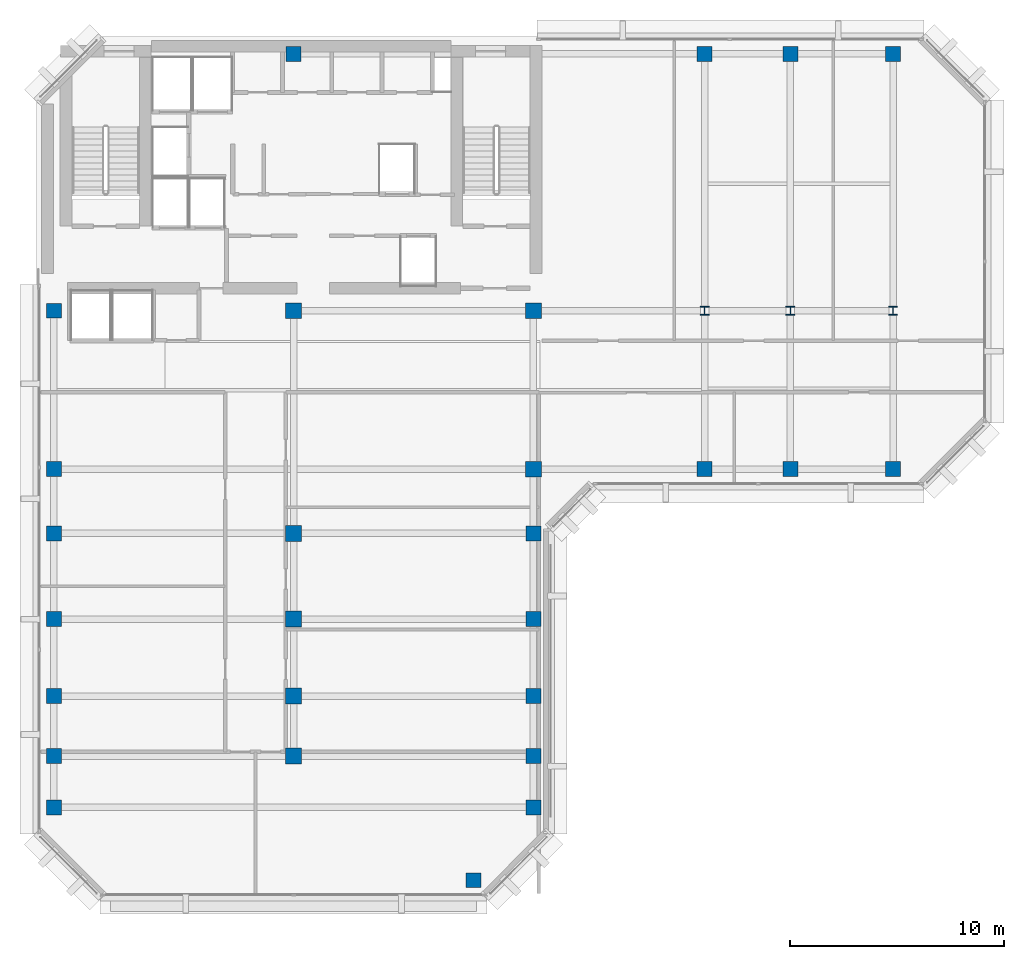
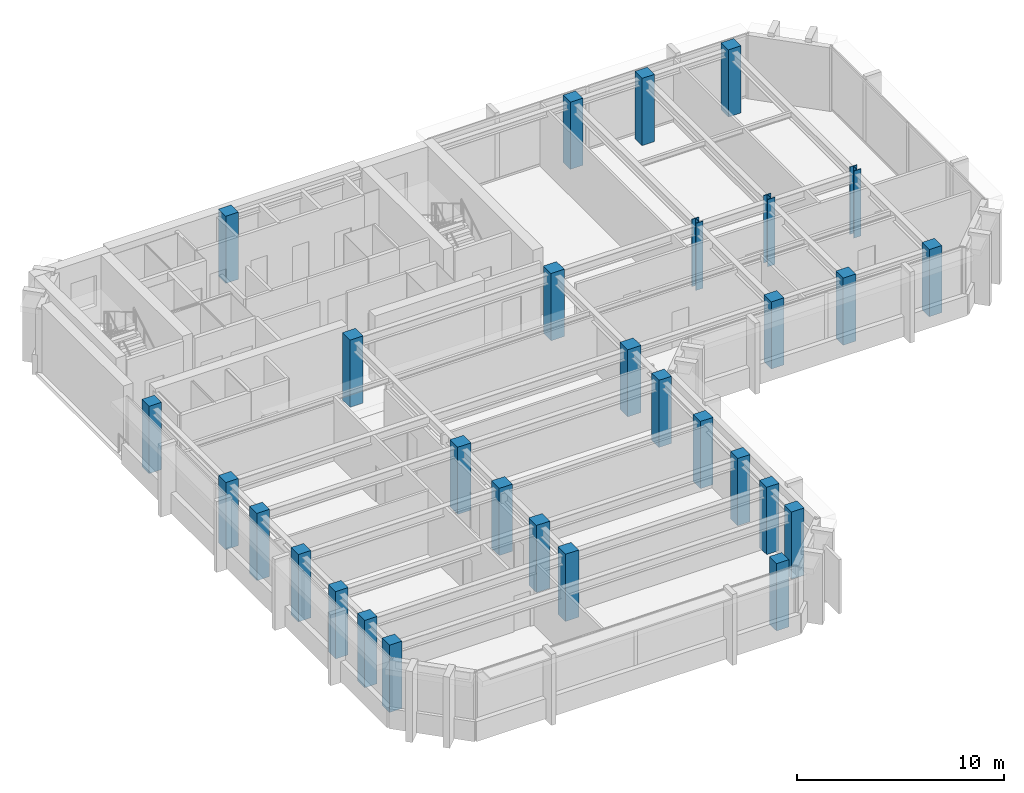
# One storey, part 1 of 11: 30 columns.
"""IFC4 building model written with IfcOpenShell, lengths in metres."""

import ifcopenshell
import ifcopenshell.guid

model = None  # the IFC model being written
_history = None  # IfcOwnerHistory: only IFC2X3 demands one
_inside = {}  # id of a spatial element -> (the spatial element, [elements in it])
_under = {}  # id of a project, library or spatial element -> (it, [spatial elements below it])
_declared = {}  # id of a project -> (the project, [libraries it declares])
_typed = {}  # id of a type object -> (the type object, [elements of that type])
_made_of = {}  # id of a material, layer set ... -> (it, [elements and type objects made of it])


def new_model(schema):
    """Start an empty IFC model of exactly this schema.

    Asked for "IFC4X3", IfcOpenShell would pick the latest addendum, in which some entities
    have other attributes; the version numbers below select the first issue.
    IFC2X3 requires an IfcOwnerHistory on every rooted entity: one is made here for all.
    """
    global model, _history
    if schema == "IFC4X3":
        model = ifcopenshell.file(schema_version=(4, 3, 0, 0))
    else:
        model = ifcopenshell.file(schema=schema)
    _inside.clear()
    _under.clear()
    _declared.clear()
    _typed.clear()
    _made_of.clear()
    _history = None
    if model.schema == "IFC2X3":
        org = make("IfcOrganization", Name="unknown")
        user = make(
            "IfcPersonAndOrganization",
            ThePerson=make("IfcPerson", FamilyName="unknown"),
            TheOrganization=org,
        )
        app = make(
            "IfcApplication",
            ApplicationDeveloper=org,
            Version="unknown",
            ApplicationFullName="unknown",
            ApplicationIdentifier="unknown",
        )
        _history = make(
            "IfcOwnerHistory",
            OwningUser=user,
            OwningApplication=app,
            ChangeAction="ADDED",
            CreationDate=0,
        )
    return model


def make(cls, **values):
    """One entity of the class cls with the attributes given. An attribute that is None is left unset."""
    return model.create_entity(
        cls, **{name: value for name, value in values.items() if value is not None}
    )


def rooted(cls, **values):
    """An entity with a GlobalId (a new one), such as an element, a storey or a relation."""
    return make(cls, GlobalId=ifcopenshell.guid.new(), OwnerHistory=_history, **values)


def si_unit(unit_type, name, prefix=None):
    """IfcSIUnit, for example si_unit("LENGTHUNIT", "METRE", prefix="MILLI")."""
    return make("IfcSIUnit", UnitType=unit_type, Prefix=prefix, Name=name)


def assignment(units):
    """IfcUnitAssignment: the units of a project."""
    return None if units is None else make("IfcUnitAssignment", Units=units)


def point(xyz):
    """IfcCartesianPoint."""
    return None if xyz is None else make("IfcCartesianPoint", Coordinates=xyz)


def direction(xyz):
    """IfcDirection."""
    return None if xyz is None else make("IfcDirection", DirectionRatios=xyz)


def frame(location, z_axis=None, x_axis=None):
    """IfcAxis2Placement3D, a coordinate frame: its origin and axes. An axis left out is left unset."""
    return make(
        "IfcAxis2Placement3D",
        Location=point(location),
        Axis=direction(z_axis),
        RefDirection=direction(x_axis),
    )


def frame_2d(location, x_axis=None):
    """IfcAxis2Placement2D, a coordinate frame in the plane: its origin and x axis."""
    return make(
        "IfcAxis2Placement2D", Location=point(location), RefDirection=direction(x_axis)
    )


def origin():
    """The frame at (0, 0, 0) with its axes left unset."""
    return frame((0.0, 0.0, 0.0))


def origin_2d():
    """The frame at (0, 0) in the plane with its x axis left unset."""
    return frame_2d((0.0, 0.0))


def place(relative_to, where):
    """IfcLocalPlacement: puts the frame where relative to a parent placement (None: the world)."""
    return make(
        "IfcLocalPlacement", PlacementRelTo=relative_to, RelativePlacement=where
    )


def context(
    kind, dimensions, precision=None, world=None, true_north=None, identifier=None
):
    """IfcGeometricRepresentationContext, for example the 3D "Model" context."""
    return make(
        "IfcGeometricRepresentationContext",
        ContextIdentifier=identifier,
        ContextType=kind,
        CoordinateSpaceDimension=dimensions,
        Precision=precision,
        WorldCoordinateSystem=world,
        TrueNorth=true_north,
    )


def subcontext(parent, identifier, kind, view, scale=None):
    """IfcGeometricRepresentationSubContext, for example "Body" below "Model"."""
    return make(
        "IfcGeometricRepresentationSubContext",
        ContextIdentifier=identifier,
        ContextType=kind,
        ParentContext=parent,
        TargetScale=scale,
        TargetView=view,
    )


def project(units=None, contexts=None):
    """IfcProject with its units and contexts."""
    return rooted(
        "IfcProject",
        Name="project",
        RepresentationContexts=contexts,
        UnitsInContext=assignment(units),
    )


def spatial(cls, under=None, at=None, **own):
    """A site, building, storey or space (cls), placed at a placement, below another one or the project."""
    s = rooted(cls, ObjectPlacement=at, **own)
    if under is not None:
        _under.setdefault(under.id(), (under, []))[1].append(s)
    return s


def profile(cls, at=None, kind="AREA", **sizes):
    """A parametric profile (cls). Its sizes go by their IFC names, for example OverallWidth=200.0."""
    return make(cls, ProfileType=kind, Position=at, **sizes)


def rectangle(**sizes):
    """IfcRectangleProfileDef."""
    return profile("IfcRectangleProfileDef", **sizes)


def i_section(**sizes):
    """IfcIShapeProfileDef."""
    return profile("IfcIShapeProfileDef", **sizes)


def extrude(swept, where, along, depth):
    """IfcExtrudedAreaSolid: the profile swept, set in the frame where, extruded along a direction by depth."""
    return make(
        "IfcExtrudedAreaSolid",
        SweptArea=swept,
        Position=where,
        ExtrudedDirection=direction(along),
        Depth=depth,
    )


def shape(context_of_items, identifier, shape_type, items):
    """IfcShapeRepresentation: the items that make up one representation, for example the "Body"."""
    return make(
        "IfcShapeRepresentation",
        ContextOfItems=context_of_items,
        RepresentationIdentifier=identifier,
        RepresentationType=shape_type,
        Items=items,
    )


def material(Name=None, Category=None):
    """IfcMaterial."""
    return make("IfcMaterial", Name=Name, Category=Category)


def material_profile(
    of_material, cross_section, Name=None, Category=None, Priority=None
):
    """IfcMaterialProfile: a cross section and its material."""
    return make(
        "IfcMaterialProfile",
        Name=Name,
        Material=of_material,
        Profile=cross_section,
        Priority=Priority,
        Category=Category,
    )


def profile_set(profiles, Name=None, composite=None):
    """IfcMaterialProfileSet."""
    return make(
        "IfcMaterialProfileSet",
        Name=Name,
        MaterialProfiles=profiles,
        CompositeProfile=composite,
    )


def made_of(thing, what):
    """Note that an element or type object is made of a material, layer set ...; save() writes the relation."""
    if what is not None:
        _made_of.setdefault(what.id(), (what, []))[1].append(thing)
    return thing


def type_object(cls, material=None, **own):
    """A type object (cls), such as IfcWallType, which elements share."""
    return made_of(rooted(cls, **own), material)


def element(
    cls,
    number,
    at=None,
    inside=None,
    cuts=None,
    type_object=None,
    material=None,
    context=None,
    identifier="Body",
    shape_type=None,
    held_by="IfcProductDefinitionShape",
    body=None,
    shapes=None,
    **own,
):
    """One element of the class cls, such as IfcWall. Its Tag is "e" and its number.

    at: its placement. inside: the storey or other place that contains it. cuts: it is an
    opening in that element (IfcRelVoidsElement). A single representation is given by context,
    identifier, shape_type and body (its items); several are given by shapes. held_by: the class
    of the entity that holds the representations. save() writes the other relations.
    """
    e = rooted(cls, Tag="e%d" % number, ObjectPlacement=at, **own)
    if body is not None:
        shapes = [shape(context, identifier, shape_type, body)]
    if shapes is not None:
        e.Representation = make(held_by, Representations=shapes)
    if inside is not None:
        _inside.setdefault(inside.id(), (inside, []))[1].append(e)
    if cuts is not None:
        rooted(
            "IfcRelVoidsElement", RelatingBuildingElement=cuts, RelatedOpeningElement=e
        )
    if type_object is not None:
        _typed.setdefault(type_object.id(), (type_object, []))[1].append(e)
    return made_of(e, material)


def aggregate(whole, parts):
    """IfcRelAggregates: a whole, such as a stair, and the parts it consists of."""
    return rooted("IfcRelAggregates", RelatingObject=whole, RelatedObjects=parts)


def save(model, path):
    """Write the relations noted so far, then the file.

    IfcRelAggregates (storeys below a building ...), IfcRelContainedInSpatialStructure (elements
    in a storey), IfcRelDefinesByType, IfcRelAssociatesMaterial and IfcRelDeclares: one each for
    every whole, place, type object, material and project.
    """
    for whole, parts in _under.values():
        aggregate(whole, parts)
    for where, things in _inside.values():
        rooted(
            "IfcRelContainedInSpatialStructure",
            RelatedElements=things,
            RelatingStructure=where,
        )
    for kind, things in _typed.values():
        rooted("IfcRelDefinesByType", RelatedObjects=things, RelatingType=kind)
    for what, things in _made_of.values():
        rooted("IfcRelAssociatesMaterial", RelatedObjects=things, RelatingMaterial=what)
    for by, libraries in _declared.values():
        rooted("IfcRelDeclares", RelatingContext=by, RelatedDefinitions=libraries)
    model.write(path)


model = new_model("IFC4")

# Units and contexts
model_context = context("Model", 3, precision=1e-05, world=origin(), true_north=direction((0.0, 1.0)))
body_context = subcontext(model_context, "Body", "Model", "MODEL_VIEW")
ifc_project = project(units=[si_unit("LENGTHUNIT", "METRE"), si_unit("AREAUNIT", "SQUARE_METRE"), si_unit("VOLUMEUNIT", "CUBIC_METRE"), si_unit("PLANEANGLEUNIT", "RADIAN"), si_unit("MASSUNIT", "GRAM", prefix="KILO")], contexts=[model_context])

# Site, building, storey
site_placement = place(None, origin())
site = spatial("IfcSite", under=ifc_project, at=site_placement, CompositionType="ELEMENT")
building_placement = place(site_placement, origin())
building = spatial("IfcBuilding", under=site, at=building_placement, Name="Kefirva Bronze Tower", CompositionType="ELEMENT")
storey_placement = place(building_placement, frame((0.0, 0.0, 303.929931640625)))
storey = spatial("IfcBuildingStorey", under=building, at=storey_placement, Name="L74", CompositionType="ELEMENT", Elevation=303.929931640625)

# Columns
ifc_material_1 = material(Name="Concrete C50/60", Category="concrete")
ifc_material_profile_1 = material_profile(ifc_material_1, rectangle(XDim=0.699951171875, YDim=0.699951171875, at=origin_2d()), Name="RC 700x700")
ifc_profile_set_1 = profile_set([ifc_material_profile_1], Name="Concrete C50/60")
column_type_1 = type_object("IfcColumnType", Name="RC Column 700x700 Ext", PredefinedType="COLUMN", material=ifc_profile_set_1)
for number, where, z_axis, x_axis, name in (
    (1, (0.800048828125, 10.0, 0.0), (0.0, 0.0, 1.0), (1.0, 0.0, 0.0), "L74 Column C008_100"),
    (2, (0.800048828125, 12.39990234375, 0.0), (0.0, 0.0, 1.0), (1.0, 0.0, 0.0), "L74 Column C008_124"),
    (3, (0.800048828125, 15.199951171875, 0.0), (0.0, 0.0, 1.0), (1.0, 0.0, 0.0), "L74 Column C008_152"),
    (4, (0.800048828125, 18.800048828125, 0.0), (0.0, 0.0, 1.0), (1.0, 0.0, 0.0), "L74 Column C008_188"),
    (5, (0.800048828125, 22.800048828125, 0.0), (0.0, 0.0, 1.0), (1.0, 0.0, 0.0), "L74 Column C008_228"),
    (6, (0.800048828125, 25.800048828125, 0.0), (0.0, 0.0, 1.0), (1.0, 0.0, 0.0), "L74 Column C008_258"),
    (7, (0.800048828125, 33.199951171875, 0.0), (0.0, 0.0, 1.0), (1.0, 0.0, 0.0), "L74 Column C008_332"),
    (8, (12.0, 45.199951171875, 0.0), (0.0, 0.0, 1.0), (1.0, 0.0, 0.0), "L74 Column C120_452"),
    (9, (20.39990234375, 6.60009765625, 0.0), (0.0, 0.0, 1.0), (1.0, 0.0, 0.0), "L74 Column C204_066"),
    (10, (23.199951171875, 10.0, 0.0), (0.0, 0.0, 1.0), (1.0, 0.0, 0.0), "L74 Column C232_100"),
    (11, (23.199951171875, 12.39990234375, 0.0), (0.0, 0.0, 1.0), (1.0, 0.0, 0.0), "L74 Column C232_124"),
    (12, (23.199951171875, 15.199951171875, 0.0), (0.0, 0.0, 1.0), (1.0, 0.0, 0.0), "L74 Column C232_152"),
    (13, (23.199951171875, 18.800048828125, 0.0), (0.0, 0.0, 1.0), (1.0, 0.0, 0.0), "L74 Column C232_188"),
    (14, (23.199951171875, 22.800048828125, 0.0), (0.0, 0.0, 1.0), (1.0, 0.0, 0.0), "L74 Column C232_228"),
    (15, (31.199951171875, 25.800048828125, 0.0), (0.0, 0.0, 1.0), (1.0, 0.0, 0.0), "L74 Column C312_258"),
    (16, (31.199951171875, 45.199951171875, 0.0), (0.0, 0.0, 1.0), (1.0, 0.0, 0.0), "L74 Column C312_452"),
    (17, (35.199951171875, 25.800048828125, 0.0), (0.0, 0.0, 1.0), (1.0, 0.0, 0.0), "L74 Column C352_258"),
    (18, (35.199951171875, 45.199951171875, 0.0), (0.0, 0.0, 1.0), (1.0, 0.0, 0.0), "L74 Column C352_452"),
    (19, (40.0, 25.800048828125, 0.0), (0.0, 0.0, 1.0), (1.0, 0.0, 0.0), "L74 Column C400_258"),
    (20, (40.0, 45.199951171875, 0.0), (0.0, 0.0, 1.0), (1.0, 0.0, 0.0), "L74 Column C400_452"),
):
    element("IfcColumn", number, at=place(storey_placement, frame(where, z_axis=z_axis, x_axis=x_axis)), inside=storey, type_object=column_type_1, Name=name, PredefinedType="COLUMN", context=body_context, shape_type="SweptSolid", body=[
        extrude(rectangle(XDim=0.699951171875, YDim=0.699951171875, at=origin_2d()), origin(), (0.0, 0.0, 1.0), 3.9599609375),
    ])
ifc_material_profile_2 = material_profile(ifc_material_1, rectangle(XDim=0.739990234375, YDim=0.739990234375, at=origin_2d()), Name="RC 740x740")
ifc_profile_set_2 = profile_set([ifc_material_profile_2], Name="Concrete C50/60")
column_type_2 = type_object("IfcColumnType", Name="RC Column 740x740 Int", PredefinedType="COLUMN", material=ifc_profile_set_2)
for number, where, z_axis, x_axis, name in (
    (21, (12.0, 12.39990234375, 0.0), (0.0, 0.0, 1.0), (1.0, 0.0, 0.0), "L74 Column C120_124"),
    (22, (12.0, 15.199951171875, 0.0), (0.0, 0.0, 1.0), (1.0, 0.0, 0.0), "L74 Column C120_152"),
    (23, (12.0, 18.800048828125, 0.0), (0.0, 0.0, 1.0), (1.0, 0.0, 0.0), "L74 Column C120_188"),
    (24, (12.0, 22.800048828125, 0.0), (0.0, 0.0, 1.0), (1.0, 0.0, 0.0), "L74 Column C120_228"),
    (25, (12.0, 33.199951171875, 0.0), (0.0, 0.0, 1.0), (1.0, 0.0, 0.0), "L74 Column C120_332"),
    (26, (23.199951171875, 25.800048828125, 0.0), (0.0, 0.0, 1.0), (1.0, 0.0, 0.0), "L74 Column C232_258"),
    (27, (23.199951171875, 33.199951171875, 0.0), (0.0, 0.0, 1.0), (1.0, 0.0, 0.0), "L74 Column C232_332"),
):
    element("IfcColumn", number, at=place(storey_placement, frame(where, z_axis=z_axis, x_axis=x_axis)), inside=storey, type_object=column_type_2, Name=name, PredefinedType="COLUMN", context=body_context, shape_type="SweptSolid", body=[
        extrude(rectangle(XDim=0.739990234375, YDim=0.739990234375, at=origin_2d()), origin(), (0.0, 0.0, 1.0), 3.9599609375),
    ])
ifc_material_2 = material(Name="Steel S460", Category="steel")
ifc_material_profile_3 = material_profile(ifc_material_2, i_section(OverallWidth=0.406005859375, OverallDepth=0.416015625, WebThickness=0.02197265625, FlangeThickness=0.035888671875, at=origin_2d()), Name="HD 400x382")
ifc_profile_set_3 = profile_set([ifc_material_profile_3], Name="Steel S460")
column_type_3 = type_object("IfcColumnType", Name="Steel Column HD 400x382", PredefinedType="COLUMN", material=ifc_profile_set_3)
for number, where, z_axis, x_axis, name in (
    (28, (31.199951171875, 33.199951171875, 0.0), (0.0, 0.0, 1.0), (1.0, 0.0, 0.0), "L74 Column C312_332"),
    (29, (35.199951171875, 33.199951171875, 0.0), (0.0, 0.0, 1.0), (1.0, 0.0, 0.0), "L74 Column C352_332"),
    (30, (40.0, 33.199951171875, 0.0), (0.0, 0.0, 1.0), (1.0, 0.0, 0.0), "L74 Column C400_332"),
):
    element("IfcColumn", number, at=place(storey_placement, frame(where, z_axis=z_axis, x_axis=x_axis)), inside=storey, type_object=column_type_3, Name=name, PredefinedType="COLUMN", context=body_context, shape_type="SweptSolid", body=[
        extrude(i_section(OverallWidth=0.406005859375, OverallDepth=0.416015625, WebThickness=0.02197265625, FlangeThickness=0.035888671875, at=origin_2d()), origin(), (0.0, 0.0, 1.0), 3.9599609375),
    ])

save(model, "model.ifc")
